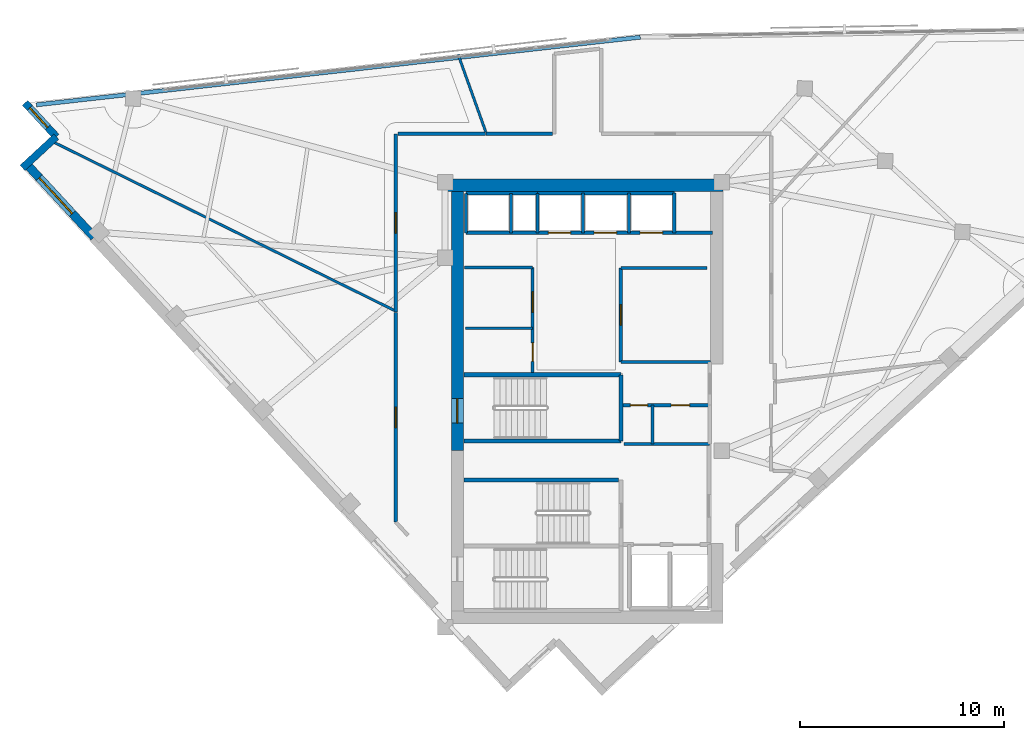
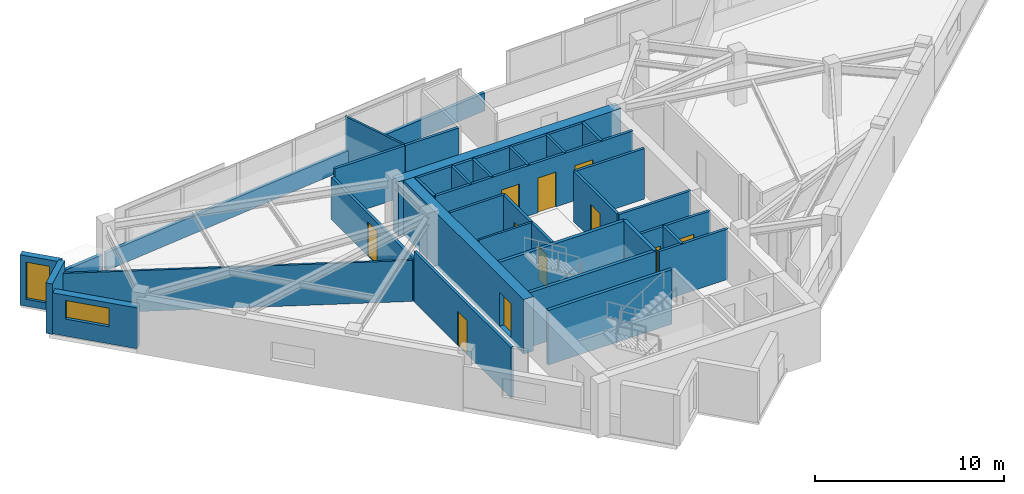
# One storey, part 8 of 12: 35 walls, 11 doors, 2 windows, 13 openings.
"""IFC4 building model written with IfcOpenShell, lengths in metres."""

from ifc_helpers import new_model, si_unit, direction, frame, frame_2d, origin, place, context, subcontext, project, spatial, rectangle, extrude, material, layer, layer_set, type_object, element, fill, save


model = new_model("IFC4")

# Units and contexts
model_context = context("Model", 3, precision=1e-05, world=origin(), true_north=direction((0.0, 1.0)))
body_context = subcontext(model_context, "Body", "Model", "MODEL_VIEW")
ifc_project = project(units=[si_unit("LENGTHUNIT", "METRE"), si_unit("AREAUNIT", "SQUARE_METRE"), si_unit("VOLUMEUNIT", "CUBIC_METRE"), si_unit("PLANEANGLEUNIT", "RADIAN"), si_unit("MASSUNIT", "GRAM", prefix="KILO")], contexts=[model_context])

# Site, building, storey
site_placement = place(None, origin())
site = spatial("IfcSite", under=ifc_project, at=site_placement, CompositionType="ELEMENT")
building_placement = place(site_placement, origin())
building = spatial("IfcBuilding", under=site, at=building_placement, Name="Narakoshi Arena Tower", CompositionType="ELEMENT")
storey_placement = place(building_placement, frame((0.0, 0.0, 267.780029296875)))
storey = spatial("IfcBuildingStorey", under=building, at=storey_placement, Name="L73", CompositionType="ELEMENT", Elevation=267.780029296875)

# Wall, opening, door
ifc_material_1 = material(Name="Concrete C50/60", Category="concrete")
ifc_layer_1 = layer(ifc_material_1, 0.60009765625)
ifc_layer_set_1 = layer_set([ifc_layer_1], Name="Concrete C50/60")
wall_type_1 = type_object("IfcWallType", Name="WL-CORE-600", PredefinedType="SHEAR", material=ifc_layer_set_1)
wall_1_placement = place(storey_placement, frame((72.60009765625, 43.35009765625, -0.260009765625), z_axis=(0.0, 0.0, 1.0), x_axis=(0.0, 1.0, 0.0)))
wall_1 = element("IfcWall", 1, at=wall_1_placement, inside=storey, type_object=wall_type_1, Name="L73 Main Core Shear Wall CW-MN-W", PredefinedType="SHEAR", context=body_context, shape_type="SweptSolid", body=[
    extrude(rectangle(XDim=12.699951171875, YDim=0.60009765625, at=frame_2d((6.35009765625, 0.0))), origin(), (0.0, 0.0, 1.0), 3.52001953125),
])
opening_1_placement = place(wall_1_placement, frame((1.35009765625, 0.0, 0.260009765625)))
opening_1 = element("IfcOpeningElement", 2, at=opening_1_placement, cuts=wall_1, Name="Opening D-03", PredefinedType="OPENING", context=body_context, shape_type="SweptSolid", body=[
    extrude(rectangle(XDim=1.199951171875, YDim=2.199951171875, at=frame_2d((0.60009765625, 1.10009765625))), frame((0.0, 0.31005859375, 0.0), z_axis=(0.0, -1.0, 0.0), x_axis=(1.0, 0.0, 0.0)), (0.0, 0.0, 1.0), 0.6201171875),
])
ifc_material_2 = material(Name="Painted galvanized steel", Category="steel")
door_type_1 = type_object("IfcDoorType", Name="DR-STR-1200", OperationType="NOTDEFINED", PredefinedType="USERDEFINED", material=ifc_material_2)
door_1_placement = place(opening_1_placement, frame((1.199951171875, 0.0, 0.0), z_axis=(0.0, 0.0, 1.0), x_axis=(-1.0, 0.0, 0.0)))
door_1 = element("IfcDoor", 3, at=door_1_placement, inside=storey, type_object=door_type_1, Name="DR-L73-006", ObjectType="EXITDOOR", OperationType="SINGLE_SWING_LEFT", OverallHeight=2.199951171875, OverallWidth=1.199951171875, PredefinedType="USERDEFINED", context=body_context, shape_type="SweptSolid", body=[
    extrude(rectangle(XDim=1.199951171875, YDim=2.199951171875, at=frame_2d((0.60009765625, 1.10009765625))), frame((0.0, 0.02490234375, 0.0), z_axis=(0.0, -1.0, 0.0), x_axis=(1.0, 0.0, 0.0)), (0.0, 0.0, 1.0), 0.050048828125),
])
fill(opening_1, door_1)

# Walls
wall_2_placement = place(storey_placement, frame((72.0, 56.35009765625, -0.260009765625), z_axis=(0.0, 0.0, 1.0), x_axis=(1.0, 0.0, 0.0)))
element("IfcWall", 4, at=wall_2_placement, inside=storey, type_object=wall_type_1, Name="L73 Main Core Shear Wall CW-MN-N", PredefinedType="SHEAR", context=body_context, shape_type="SweptSolid", body=[
    extrude(rectangle(XDim=13.60009765625, YDim=0.60009765625, at=frame_2d((6.800048828125, 0.0))), origin(), (0.0, 0.0, 1.0), 3.52001953125),
])
ifc_material_3 = material(Name="Gypsum plasterboard fire-rated partition")
ifc_layer_2 = layer(ifc_material_3, 0.1650390625)
ifc_layer_set_2 = layer_set([ifc_layer_2], Name="Gypsum plasterboard fire-rated partition")
wall_type_2 = type_object("IfcWallType", Name="WL-CORR-165", PredefinedType="PARTITIONING", material=ifc_layer_set_2)
wall_3_placement = place(storey_placement, frame((77.255615234375, 58.86669921875, 0.0), z_axis=(0.0, 0.0, 1.0), x_axis=(-1.0, 0.0, 0.0)))
element("IfcWall", 5, at=wall_3_placement, inside=storey, type_object=wall_type_2, Name="L73 Corridor Partition 03-5", PredefinedType="PARTITIONING", context=body_context, shape_type="SweptSolid", body=[
    extrude(rectangle(XDim=3.265869140625, YDim=0.1650390625, at=frame_2d((1.6328125, 0.0))), origin(), (0.0, 0.0, 1.0), 3.260009765625),
])

# Wall, opening, door
wall_4_placement = place(storey_placement, frame((69.583251953125, 58.86669921875, 0.0), z_axis=(0.0, 0.0, 1.0), x_axis=(0.0, -1.0, 0.0)))
wall_4 = element("IfcWall", 6, at=wall_4_placement, inside=storey, type_object=wall_type_2, Name="L73 Corridor Partition 04-1", PredefinedType="PARTITIONING", context=body_context, shape_type="SweptSolid", body=[
    extrude(rectangle(XDim=8.719482421875, YDim=0.1650390625, at=frame_2d((4.35986328125, 0.0))), origin(), (0.0, 0.0, 1.0), 2.744873046875),
])
opening_2_placement = place(wall_4_placement, frame((3.85986328125, 0.0, 0.0)))
opening_2 = element("IfcOpeningElement", 7, at=opening_2_placement, cuts=wall_4, Name="Opening D-06", PredefinedType="OPENING", context=body_context, shape_type="SweptSolid", body=[
    extrude(rectangle(XDim=1.0, YDim=2.199951171875, at=frame_2d((0.5, 1.10009765625))), frame((0.0, 0.092529296875, 0.0), z_axis=(0.0, -1.0, 0.0), x_axis=(1.0, 0.0, 0.0)), (0.0, 0.0, 1.0), 0.18505859375),
])
ifc_material_4 = material(Name="Stained oak solid-core timber", Category="wood")
door_type_2 = type_object("IfcDoorType", Name="DR-OFF-1000", OperationType="NOTDEFINED", PredefinedType="DOOR", material=ifc_material_4)
door_2_placement = place(opening_2_placement, frame((1.0, 0.0, 0.0), z_axis=(0.0, 0.0, 1.0), x_axis=(-1.0, 0.0, 0.0)))
door_2 = element("IfcDoor", 8, at=door_2_placement, inside=storey, type_object=door_type_2, Name="DR-L73-019", OperationType="SINGLE_SWING_RIGHT", OverallHeight=2.199951171875, OverallWidth=1.0, PredefinedType="DOOR", context=body_context, shape_type="SweptSolid", body=[
    extrude(rectangle(XDim=1.0, YDim=2.199951171875, at=frame_2d((0.5, 1.10009765625))), frame((0.0, 0.02490234375, 0.0), z_axis=(0.0, -1.0, 0.0), x_axis=(1.0, 0.0, 0.0)), (0.0, 0.0, 1.0), 0.050048828125),
])
fill(opening_2, door_2)

# Wall
wall_5_placement = place(storey_placement, frame((73.964111328125, 58.86669921875, 0.0), z_axis=(0.0, 0.0, 1.0), x_axis=(-1.0, 0.0, 0.0)))
element("IfcWall", 9, at=wall_5_placement, inside=storey, type_object=wall_type_2, Name="L73 Corridor Partition 04-2", PredefinedType="PARTITIONING", context=body_context, shape_type="SweptSolid", body=[
    extrude(rectangle(XDim=4.286376953125, YDim=0.1650390625, at=frame_2d((2.14306640625, 0.0))), origin(), (0.0, 0.0, 1.0), 3.260009765625),
])

# Wall, opening, door
wall_6_placement = place(storey_placement, frame((69.583251953125, 50.120361328125, 0.0), z_axis=(0.0, 0.0, 1.0), x_axis=(0.0, -1.0, 0.0)))
wall_6 = element("IfcWall", 10, at=wall_6_placement, inside=storey, type_object=wall_type_2, Name="L73 Corridor Partition 05-1", PredefinedType="PARTITIONING", context=body_context, shape_type="SweptSolid", body=[
    extrude(rectangle(XDim=10.269775390625, YDim=0.1650390625, at=frame_2d((5.134765625, 0.0))), origin(), (0.0, 0.0, 1.0), 3.260009765625),
])
opening_3_placement = place(wall_6_placement, frame((4.635009765625, 0.0, 0.0)))
opening_3 = element("IfcOpeningElement", 11, at=opening_3_placement, cuts=wall_6, Name="Opening D-06", PredefinedType="OPENING", context=body_context, shape_type="SweptSolid", body=[
    extrude(rectangle(XDim=1.0, YDim=2.199951171875, at=frame_2d((0.5, 1.10009765625))), frame((0.0, 0.092529296875, 0.0), z_axis=(0.0, -1.0, 0.0), x_axis=(1.0, 0.0, 0.0)), (0.0, 0.0, 1.0), 0.18505859375),
])
door_3_placement = place(opening_3_placement, frame((1.0, 0.0, 0.0), z_axis=(0.0, 0.0, 1.0), x_axis=(-1.0, 0.0, 0.0)))
door_3 = element("IfcDoor", 12, at=door_3_placement, inside=storey, type_object=door_type_2, Name="DR-L73-020", OperationType="SINGLE_SWING_LEFT", OverallHeight=2.199951171875, OverallWidth=1.0, PredefinedType="DOOR", context=body_context, shape_type="SweptSolid", body=[
    extrude(rectangle(XDim=1.0, YDim=2.199951171875, at=frame_2d((0.5, 1.10009765625))), frame((0.0, 0.02490234375, 0.0), z_axis=(0.0, -1.0, 0.0), x_axis=(1.0, 0.0, 0.0)), (0.0, 0.0, 1.0), 0.050048828125),
])
fill(opening_3, door_3)

# Walls
ifc_material_5 = material(Name="Precast concrete C45/55", Category="concrete")
ifc_layer_3 = layer(ifc_material_5, 0.25)
ifc_layer_set_3 = layer_set([ifc_layer_3], Name="Precast concrete C45/55")
wall_type_3 = type_object("IfcWallType", Name="WL-PARA-250", PredefinedType="PARAPET", material=ifc_layer_set_3)
wall_7_placement = place(storey_placement, frame((81.556640625, 63.603759765625, 0.0), z_axis=(0.0, 0.0, 1.0), x_axis=(-0.993776455024, -0.111392806945, 0.0)))
element("IfcWall", 13, at=wall_7_placement, inside=storey, type_object=wall_type_3, Name="L73 Hypotenuse Sill Upstand Parapet 2-01", PredefinedType="PARAPET", context=body_context, shape_type="SweptSolid", body=[
    extrude(rectangle(XDim=24.891357421875, YDim=0.199951171875, at=frame_2d((12.44580078125, 0.0))), origin(), (0.0, 0.0, 1.0), 1.14990234375),
])
wall_8_placement = place(storey_placement, frame((56.565185546875, 60.802490234375, 0.0), z_axis=(0.0, 0.0, 1.0), x_axis=(-0.99377164586, -0.111435702918, 0.0)))
element("IfcWall", 14, at=wall_8_placement, inside=storey, type_object=wall_type_3, Name="L73 Hypotenuse Sill Upstand Parapet 2-02", PredefinedType="PARAPET", context=body_context, shape_type="SweptSolid", body=[
    extrude(rectangle(XDim=4.6162109375, YDim=0.199951171875, at=frame_2d((2.30810546875, 0.0))), origin(), (0.0, 0.0, 1.0), 1.14990234375),
])
ifc_layer_4 = layer(ifc_material_3, 0.125)
ifc_layer_set_4 = layer_set([ifc_layer_4], Name="Gypsum plasterboard fire-rated partition")
wall_type_4 = type_object("IfcWallType", Name="WL-PART-125", PredefinedType="PARTITIONING", material=ifc_layer_set_4)
wall_9_placement = place(storey_placement, frame((73.0, 49.35009765625, 0.0), z_axis=(0.0, 0.0, 1.0), x_axis=(1.0, 0.0, 0.0)))
element("IfcWall", 15, at=wall_9_placement, inside=storey, type_object=wall_type_4, Name="L73 Core Wall RCL-LR-D1", PredefinedType="PARTITIONING", context=body_context, shape_type="SweptSolid", body=[
    extrude(rectangle(XDim=3.280029296875, YDim=0.125, at=frame_2d((1.64013671875, 0.0))), origin(), (0.0, 0.0, 1.0), 3.260009765625),
])
wall_10_placement = place(storey_placement, frame((73.990234375, 58.961181640625, 0.0), z_axis=(0.0, 0.0, 1.0), x_axis=(-0.336520199653, 0.941676247564, 0.0)))
element("IfcWall", 16, at=wall_10_placement, inside=storey, type_object=wall_type_4, Name="L73 Inter-Room Partition 03-04", PredefinedType="PARTITIONING", context=body_context, shape_type="SweptSolid", body=[
    extrude(rectangle(XDim=4.038818359375, YDim=0.125, at=frame_2d((2.01953125, 0.0))), origin(), (0.0, 0.0, 1.0), 3.260009765625),
])
wall_11_placement = place(storey_placement, frame((69.48876953125, 50.23388671875, 0.0), z_axis=(0.0, 0.0, 1.0), x_axis=(-0.896640561753, 0.442759193038, 0.0)))
element("IfcWall", 17, at=wall_11_placement, inside=storey, type_object=wall_type_4, Name="L73 Inter-Room Partition 04-05", PredefinedType="PARTITIONING", context=body_context, shape_type="SweptSolid", body=[
    extrude(rectangle(XDim=18.7021484375, YDim=0.125, at=frame_2d((9.35107421875, 0.0))), origin(), (0.0, 0.0, 1.0), 2.64501953125),
])

# Wall, opening, window
ifc_layer_5 = layer(ifc_material_5, 0.419921875)
ifc_layer_set_5 = layer_set([ifc_layer_5], Name="Precast concrete C45/55")
wall_type_5 = type_object("IfcWallType", Name="WL-POD-420", PredefinedType="SOLIDWALL", material=ifc_layer_set_5)
wall_12_placement = place(storey_placement, frame((51.5, 57.38720703125, 0.0), z_axis=(0.0, 0.0, 1.0), x_axis=(0.67880684669, -0.734316869537, 0.0)))
wall_12 = element("IfcWall", 18, at=wall_12_placement, inside=storey, type_object=wall_type_5, Name="L73 Architectural Concrete Facade Wall LEGB-1", PredefinedType="SOLIDWALL", context=body_context, shape_type="SweptSolid", body=[
    extrude(rectangle(XDim=4.86865234375, YDim=0.419921875, at=frame_2d((2.434326171875, 0.0))), origin(), (0.0, 0.0, 1.0), 2.64501953125),
])
opening_4_placement = place(wall_12_placement, frame((0.89990234375, 0.0, 1.10009765625)))
opening_4 = element("IfcOpeningElement", 19, at=opening_4_placement, cuts=wall_12, Name="Opening WN-04", PredefinedType="OPENING", context=body_context, shape_type="SweptSolid", body=[
    extrude(rectangle(XDim=2.39990234375, YDim=1.199951171875, at=frame_2d((1.199951171875, 0.60009765625))), frame((0.0, 0.219970703125, 0.0), z_axis=(0.0, -1.0, 0.0), x_axis=(1.0, 0.0, 0.0)), (0.0, 0.0, 1.0), 0.43994140625),
])
ifc_material_6 = material(Name="Bronze-tinted low-E laminated glass", Category="glass")
window_type_1 = type_object("IfcWindowType", Name="WIN-SLT-24x12", PartitioningType="SINGLE_PANEL", PredefinedType="WINDOW", material=ifc_material_6)
window_1_placement = place(opening_4_placement, origin())
window_1 = element("IfcWindow", 20, at=window_1_placement, inside=storey, type_object=window_type_1, Name="L73 LEGB1 Horizontal Slot Window 1", OverallHeight=1.199951171875, OverallWidth=2.39990234375, PartitioningType="SINGLE_PANEL", PredefinedType="WINDOW", context=body_context, shape_type="SweptSolid", body=[
    extrude(rectangle(XDim=2.39990234375, YDim=1.199951171875, at=frame_2d((1.199951171875, 0.60009765625))), frame((0.0, 0.030029296875, 0.0), z_axis=(0.0, -1.0, 0.0), x_axis=(1.0, 0.0, 0.0)), (0.0, 0.0, 1.0), 0.06005859375),
])
fill(opening_4, window_1)

wall_13_placement = place(storey_placement, frame((51.42333984375, 60.38720703125, 0.0), z_axis=(0.0, 0.0, 1.0), x_axis=(0.678792531533, -0.734330102294, 0.0)))
wall_13 = element("IfcWall", 21, at=wall_13_placement, inside=storey, type_object=wall_type_5, Name="L73 Re-Entrant Corner Notch Wall NTN-1", PredefinedType="SOLIDWALL", context=body_context, shape_type="SweptSolid", body=[
    extrude(rectangle(XDim=2.255126953125, YDim=0.360107421875, at=frame_2d((1.12744140625, 0.0))), origin(), (0.0, 0.0, 1.0), 3.260009765625),
])
opening_5_placement = place(wall_13_placement, frame((0.340087890625, 0.0, 0.449951171875)))
opening_5 = element("IfcOpeningElement", 22, at=opening_5_placement, cuts=wall_13, Name="Opening WN-06", PredefinedType="OPENING", context=body_context, shape_type="SweptSolid", body=[
    extrude(rectangle(XDim=1.300048828125, YDim=2.39990234375, at=frame_2d((0.64990234375, 1.199951171875))), frame((0.0, 0.18994140625, 0.0), z_axis=(0.0, -1.0, 0.0), x_axis=(1.0, 0.0, 0.0)), (0.0, 0.0, 1.0), 0.380126953125),
])
window_type_2 = type_object("IfcWindowType", Name="WIN-NTC-16x24", PartitioningType="SINGLE_PANEL", PredefinedType="WINDOW", material=ifc_material_6)
window_2_placement = place(opening_5_placement, origin())
window_2 = element("IfcWindow", 23, at=window_2_placement, inside=storey, type_object=window_type_2, Name="L73 Corner Notch Window NTN", OverallHeight=2.39990234375, OverallWidth=1.300048828125, PartitioningType="SINGLE_PANEL", PredefinedType="WINDOW", context=body_context, shape_type="SweptSolid", body=[
    extrude(rectangle(XDim=1.300048828125, YDim=2.39990234375, at=frame_2d((0.64990234375, 1.199951171875))), frame((0.0, 0.030029296875, 0.0), z_axis=(0.0, -1.0, 0.0), x_axis=(1.0, 0.0, 0.0)), (0.0, 0.0, 1.0), 0.06005859375),
])
fill(opening_5, window_2)

# Wall
wall_14_placement = place(storey_placement, frame((52.9541015625, 58.731201171875, 0.0), z_axis=(0.0, 0.0, 1.0), x_axis=(-0.734330102294, -0.678792531533, 0.0)))
element("IfcWall", 24, at=wall_14_placement, inside=storey, type_object=wall_type_5, Name="L73 Re-Entrant Corner Notch Wall NTN-2", PredefinedType="SOLIDWALL", context=body_context, shape_type="SweptSolid", body=[
    extrude(rectangle(XDim=2.255126953125, YDim=0.360107421875, at=frame_2d((1.12744140625, 0.0))), origin(), (0.0, 0.0, 1.0), 3.260009765625),
])

# Wall, openings, doors
ifc_material_7 = material(Name="Concrete C40/50", Category="concrete")
ifc_layer_6 = layer(ifc_material_7, 0.280029296875)
ifc_layer_set_6 = layer_set([ifc_layer_6], Name="Concrete C40/50")
wall_type_6 = type_object("IfcWallType", Name="WL-RISER-280", PredefinedType="PLUMBINGWALL", material=ifc_layer_set_6)
wall_15_placement = place(storey_placement, frame((80.719970703125, 45.580078125, 0.0), z_axis=(0.0, 0.0, 1.0), x_axis=(1.0, 0.0, 0.0)))
wall_15 = element("IfcWall", 25, at=wall_15_placement, inside=storey, type_object=wall_type_6, Name="L73 Core Wall RSR-N", PredefinedType="PLUMBINGWALL", context=body_context, shape_type="SweptSolid", body=[
    extrude(rectangle(XDim=4.22998046875, YDim=0.159912109375, at=frame_2d((2.114990234375, 0.0))), origin(), (0.0, 0.0, 1.0), 3.260009765625),
])
opening_6_placement = place(wall_15_placement, frame((0.35009765625, 0.0, 0.0)))
opening_6 = element("IfcOpeningElement", 26, at=opening_6_placement, cuts=wall_15, Name="Opening D-10", PredefinedType="OPENING", context=body_context, shape_type="SweptSolid", body=[
    extrude(rectangle(XDim=0.85009765625, YDim=2.050048828125, at=frame_2d((0.425048828125, 1.02490234375))), frame((0.0, 0.08984375, 0.0), z_axis=(0.0, -1.0, 0.0), x_axis=(1.0, 0.0, 0.0)), (0.0, 0.0, 1.0), 0.179931640625),
])
opening_7_placement = place(wall_15_placement, frame((2.35009765625, 0.0, 0.0)))
opening_7 = element("IfcOpeningElement", 27, at=opening_7_placement, cuts=wall_15, Name="Opening D-08", PredefinedType="OPENING", context=body_context, shape_type="SweptSolid", body=[
    extrude(rectangle(XDim=0.89990234375, YDim=2.10009765625, at=frame_2d((0.449951171875, 1.050048828125))), frame((0.0, 0.08984375, 0.0), z_axis=(0.0, -1.0, 0.0), x_axis=(1.0, 0.0, 0.0)), (0.0, 0.0, 1.0), 0.179931640625),
])
door_type_3 = type_object("IfcDoorType", Name="DR-RSR-850", OperationType="NOTDEFINED", PredefinedType="DOOR", material=ifc_material_2)
door_4_placement = place(opening_6_placement, frame((0.85009765625, 0.0, 0.0), z_axis=(0.0, 0.0, 1.0), x_axis=(-1.0, 0.0, 0.0)))
door_4 = element("IfcDoor", 28, at=door_4_placement, inside=storey, type_object=door_type_3, Name="DR-L73-008", OperationType="SINGLE_SWING_LEFT", OverallHeight=2.050048828125, OverallWidth=0.85009765625, PredefinedType="DOOR", context=body_context, shape_type="SweptSolid", body=[
    extrude(rectangle(XDim=0.85009765625, YDim=2.050048828125, at=frame_2d((0.425048828125, 1.02490234375))), frame((0.0, 0.02490234375, 0.0), z_axis=(0.0, -1.0, 0.0), x_axis=(1.0, 0.0, 0.0)), (0.0, 0.0, 1.0), 0.050048828125),
])
fill(opening_6, door_4)
ifc_material_8 = material(Name="Moisture-resistant laminate timber", Category="wood")
door_type_4 = type_object("IfcDoorType", Name="DR-WC-900", OperationType="NOTDEFINED", PredefinedType="DOOR", material=ifc_material_8)
door_5_placement = place(opening_7_placement, frame((0.89990234375, 0.0, 0.0), z_axis=(0.0, 0.0, 1.0), x_axis=(-1.0, 0.0, 0.0)))
door_5 = element("IfcDoor", 29, at=door_5_placement, inside=storey, type_object=door_type_4, Name="DR-L73-009", OperationType="SINGLE_SWING_RIGHT", OverallHeight=2.10009765625, OverallWidth=0.89990234375, PredefinedType="DOOR", context=body_context, shape_type="SweptSolid", body=[
    extrude(rectangle(XDim=0.89990234375, YDim=2.10009765625, at=frame_2d((0.449951171875, 1.050048828125))), frame((0.0, 0.02490234375, 0.0), z_axis=(0.0, -1.0, 0.0), x_axis=(1.0, 0.0, 0.0)), (0.0, 0.0, 1.0), 0.050048828125),
])
fill(opening_7, door_5)

# Walls
wall_16_placement = place(storey_placement, frame((80.760009765625, 43.679931640625, 0.0), z_axis=(0.0, 0.0, 1.0), x_axis=(1.0, 0.0, 0.0)))
element("IfcWall", 30, at=wall_16_placement, inside=storey, type_object=wall_type_6, Name="L73 Core Wall RSR-S", PredefinedType="PLUMBINGWALL", context=body_context, shape_type="SweptSolid", body=[
    extrude(rectangle(XDim=4.18994140625, YDim=0.159912109375, at=frame_2d((2.094970703125, 0.0))), origin(), (0.0, 0.0, 1.0), 3.260009765625),
])
wall_17_placement = place(storey_placement, frame((82.14990234375, 43.679931640625, 0.0), z_axis=(0.0, 0.0, 1.0), x_axis=(0.0, 1.0, 0.0)))
element("IfcWall", 31, at=wall_17_placement, inside=storey, type_object=wall_type_6, Name="L73 Core Wall RSR-M", PredefinedType="PLUMBINGWALL", context=body_context, shape_type="SweptSolid", body=[
    extrude(rectangle(XDim=1.900146484375, YDim=0.159912109375, at=frame_2d((0.9501953125, 0.0))), origin(), (0.0, 0.0, 1.0), 3.260009765625),
])
for number, where, z_axis, x_axis, name in (
    (32, (73.02001953125, 54.02001953125, 0.0), (0.0, 0.0, 1.0), (0.0, 1.0, 0.0), "L73 Core Wall OBS-W"),
    (33, (75.219970703125, 54.02001953125, 0.0), (0.0, 0.0, 1.0), (0.0, 1.0, 0.0), "L73 Core Wall OBS-M"),
):
    element("IfcWall", number, at=place(storey_placement, frame(where, z_axis=z_axis, x_axis=x_axis)), inside=storey, type_object=wall_type_6, Name=name, PredefinedType="PLUMBINGWALL", context=body_context, shape_type="SweptSolid", body=[
        extrude(rectangle(XDim=1.93994140625, YDim=0.14990234375, at=frame_2d((0.969970703125, 0.0))), origin(), (0.0, 0.0, 1.0), 3.260009765625),
    ])
for number, where, z_axis, x_axis, name in (
    (34, (78.75, 54.02001953125, 0.0), (0.0, 0.0, 1.0), (0.0, 1.0, 0.0), "L73 Core Wall HR-D1"),
    (35, (81.0, 54.02001953125, 0.0), (0.0, 0.0, 1.0), (0.0, 1.0, 0.0), "L73 Core Wall HR-D2"),
):
    element("IfcWall", number, at=place(storey_placement, frame(where, z_axis=z_axis, x_axis=x_axis)), inside=storey, type_object=wall_type_6, Name=name, PredefinedType="PLUMBINGWALL", context=body_context, shape_type="SweptSolid", body=[
        extrude(rectangle(XDim=1.9599609375, YDim=0.14990234375, at=frame_2d((0.97998046875, 0.0))), origin(), (0.0, 0.0, 1.0), 3.260009765625),
    ])
ifc_layer_7 = layer(ifc_material_1, 0.35009765625)
ifc_layer_set_7 = layer_set([ifc_layer_7], Name="Concrete C50/60")
wall_type_7 = type_object("IfcWallType", Name="WL-SHAFT-350", PredefinedType="SOLIDWALL", material=ifc_layer_set_7)
wall_18_placement = place(storey_placement, frame((72.919921875, 41.919921875, -0.260009765625), z_axis=(0.0, 0.0, 1.0), x_axis=(1.0, 0.0, 0.0)))
element("IfcWall", 36, at=wall_18_placement, inside=storey, type_object=wall_type_7, Name="L73 Core Wall ST2-N", PredefinedType="SOLIDWALL", context=body_context, shape_type="SweptSolid", body=[
    extrude(rectangle(XDim=7.580078125, YDim=0.199951171875, at=frame_2d((3.7900390625, 0.0))), origin(), (0.0, 0.0, 1.0), 3.52001953125),
])
for number, where, z_axis, x_axis, name in (
    (37, (72.919921875, 43.830078125, -0.260009765625), (0.0, 0.0, 1.0), (1.0, 0.0, 0.0), "L73 Core Wall ST3-S"),
    (38, (72.919921875, 47.070068359375, -0.260009765625), (0.0, 0.0, 1.0), (1.0, 0.0, 0.0), "L73 Core Wall ST3-N"),
):
    element("IfcWall", number, at=place(storey_placement, frame(where, z_axis=z_axis, x_axis=x_axis)), inside=storey, type_object=wall_type_7, Name=name, PredefinedType="SOLIDWALL", context=body_context, shape_type="SweptSolid", body=[
        extrude(rectangle(XDim=7.7001953125, YDim=0.199951171875, at=frame_2d((3.85009765625, 0.0))), origin(), (0.0, 0.0, 1.0), 3.52001953125),
    ])
wall_19_placement = place(storey_placement, frame((80.6201171875, 43.830078125, -0.260009765625), z_axis=(0.0, 0.0, 1.0), x_axis=(0.0, 1.0, 0.0)))
element("IfcWall", 39, at=wall_19_placement, inside=storey, type_object=wall_type_7, Name="L73 Core Wall ST3-E", PredefinedType="SOLIDWALL", context=body_context, shape_type="SweptSolid", body=[
    extrude(rectangle(XDim=3.239990234375, YDim=0.199951171875, at=frame_2d((1.6201171875, 0.0))), origin(), (0.0, 0.0, 1.0), 3.52001953125),
])

# Wall, openings, doors
wall_20_placement = place(storey_placement, frame((76.280029296875, 47.179931640625, 0.0), z_axis=(0.0, 0.0, 1.0), x_axis=(0.0, 1.0, 0.0)))
wall_20 = element("IfcWall", 40, at=wall_20_placement, inside=storey, type_object=wall_type_7, Name="L73 Core Wall LR-E", PredefinedType="SOLIDWALL", context=body_context, shape_type="SweptSolid", body=[
    extrude(rectangle(XDim=5.14013671875, YDim=0.159912109375, at=frame_2d((2.570068359375, 0.0))), origin(), (0.0, 0.0, 1.0), 3.260009765625),
])
opening_8_placement = place(wall_20_placement, frame((0.550048828125, 0.0, 0.0)))
opening_8 = element("IfcOpeningElement", 41, at=opening_8_placement, cuts=wall_20, Name="Opening D-08", PredefinedType="OPENING", context=body_context, shape_type="SweptSolid", body=[
    extrude(rectangle(XDim=0.89990234375, YDim=2.10009765625, at=frame_2d((0.449951171875, 1.050048828125))), frame((0.0, 0.08984375, 0.0), z_axis=(0.0, -1.0, 0.0), x_axis=(1.0, 0.0, 0.0)), (0.0, 0.0, 1.0), 0.179931640625),
])
opening_9_placement = place(wall_20_placement, frame((2.949951171875, 0.0, 0.0)))
opening_9 = element("IfcOpeningElement", 42, at=opening_9_placement, cuts=wall_20, Name="Opening D-06", PredefinedType="OPENING", context=body_context, shape_type="SweptSolid", body=[
    extrude(rectangle(XDim=1.0, YDim=2.199951171875, at=frame_2d((0.5, 1.10009765625))), frame((0.0, 0.08984375, 0.0), z_axis=(0.0, -1.0, 0.0), x_axis=(1.0, 0.0, 0.0)), (0.0, 0.0, 1.0), 0.179931640625),
])
door_6_placement = place(opening_9_placement, frame((1.0, 0.0, 0.0), z_axis=(0.0, 0.0, 1.0), x_axis=(-1.0, 0.0, 0.0)))
door_6 = element("IfcDoor", 43, at=door_6_placement, inside=storey, type_object=door_type_2, Name="DR-L73-011", OperationType="SINGLE_SWING_LEFT", OverallHeight=2.199951171875, OverallWidth=1.0, PredefinedType="DOOR", context=body_context, shape_type="SweptSolid", body=[
    extrude(rectangle(XDim=1.0, YDim=2.199951171875, at=frame_2d((0.5, 1.10009765625))), frame((0.0, 0.02490234375, 0.0), z_axis=(0.0, -1.0, 0.0), x_axis=(1.0, 0.0, 0.0)), (0.0, 0.0, 1.0), 0.050048828125),
])
fill(opening_9, door_6)
door_7_placement = place(opening_8_placement, frame((0.89990234375, 0.0, 0.0), z_axis=(0.0, 0.0, 1.0), x_axis=(-1.0, 0.0, 0.0)))
door_7 = element("IfcDoor", 44, at=door_7_placement, inside=storey, type_object=door_type_4, Name="DR-L73-010", OperationType="SINGLE_SWING_RIGHT", OverallHeight=2.10009765625, OverallWidth=0.89990234375, PredefinedType="DOOR", context=body_context, shape_type="SweptSolid", body=[
    extrude(rectangle(XDim=0.89990234375, YDim=2.10009765625, at=frame_2d((0.449951171875, 1.050048828125))), frame((0.0, 0.02490234375, 0.0), z_axis=(0.0, -1.0, 0.0), x_axis=(1.0, 0.0, 0.0)), (0.0, 0.0, 1.0), 0.050048828125),
])
fill(opening_8, door_7)

# Wall
wall_21_placement = place(storey_placement, frame((72.949951171875, 52.320068359375, 0.0), z_axis=(0.0, 0.0, 1.0), x_axis=(1.0, 0.0, 0.0)))
element("IfcWall", 45, at=wall_21_placement, inside=storey, type_object=wall_type_7, Name="L73 Core Wall LR-N", PredefinedType="SOLIDWALL", context=body_context, shape_type="SweptSolid", body=[
    extrude(rectangle(XDim=3.330078125, YDim=0.14990234375, at=frame_2d((1.6650390625, 0.0))), origin(), (0.0, 0.0, 1.0), 3.260009765625),
])

# Wall, opening, door
wall_22_placement = place(storey_placement, frame((80.60009765625, 47.699951171875, 0.0), z_axis=(0.0, 0.0, 1.0), x_axis=(0.0, 1.0, 0.0)))
wall_22 = element("IfcWall", 46, at=wall_22_placement, inside=storey, type_object=wall_type_7, Name="L73 Core Wall MR-W", PredefinedType="SOLIDWALL", context=body_context, shape_type="SweptSolid", body=[
    extrude(rectangle(XDim=4.60009765625, YDim=0.159912109375, at=frame_2d((2.300048828125, 0.0))), origin(), (0.0, 0.0, 1.0), 3.260009765625),
])
opening_10_placement = place(wall_22_placement, frame((1.800048828125, 0.0, 0.0)))
opening_10 = element("IfcOpeningElement", 47, at=opening_10_placement, cuts=wall_22, Name="Opening D-06", PredefinedType="OPENING", context=body_context, shape_type="SweptSolid", body=[
    extrude(rectangle(XDim=1.0, YDim=2.199951171875, at=frame_2d((0.5, 1.10009765625))), frame((0.0, 0.08984375, 0.0), z_axis=(0.0, -1.0, 0.0), x_axis=(1.0, 0.0, 0.0)), (0.0, 0.0, 1.0), 0.179931640625),
])
door_8_placement = place(opening_10_placement, origin())
door_8 = element("IfcDoor", 48, at=door_8_placement, inside=storey, type_object=door_type_2, Name="DR-L73-012", OperationType="SINGLE_SWING_LEFT", OverallHeight=2.199951171875, OverallWidth=1.0, PredefinedType="DOOR", context=body_context, shape_type="SweptSolid", body=[
    extrude(rectangle(XDim=1.0, YDim=2.199951171875, at=frame_2d((0.5, 1.10009765625))), frame((0.0, 0.02490234375, 0.0), z_axis=(0.0, -1.0, 0.0), x_axis=(1.0, 0.0, 0.0)), (0.0, 0.0, 1.0), 0.050048828125),
])
fill(opening_10, door_8)

# Walls
wall_23_placement = place(storey_placement, frame((80.60009765625, 47.699951171875, 0.0), z_axis=(0.0, 0.0, 1.0), x_axis=(1.0, 0.0, 0.0)))
element("IfcWall", 49, at=wall_23_placement, inside=storey, type_object=wall_type_7, Name="L73 Core Wall MR-S", PredefinedType="SOLIDWALL", context=body_context, shape_type="SweptSolid", body=[
    extrude(rectangle(XDim=4.39990234375, YDim=0.159912109375, at=frame_2d((2.199951171875, 0.0))), origin(), (0.0, 0.0, 1.0), 3.260009765625),
])
wall_24_placement = place(storey_placement, frame((80.60009765625, 52.300048828125, 0.0), z_axis=(0.0, 0.0, 1.0), x_axis=(1.0, 0.0, 0.0)))
element("IfcWall", 50, at=wall_24_placement, inside=storey, type_object=wall_type_7, Name="L73 Core Wall MR-N", PredefinedType="SOLIDWALL", context=body_context, shape_type="SweptSolid", body=[
    extrude(rectangle(XDim=4.219970703125, YDim=0.159912109375, at=frame_2d((2.10986328125, 0.0))), origin(), (0.0, 0.0, 1.0), 3.260009765625),
])

# Wall, openings, doors
wall_25_placement = place(storey_placement, frame((73.02001953125, 54.02001953125, 0.0), z_axis=(0.0, 0.0, 1.0), x_axis=(1.0, 0.0, 0.0)))
wall_25 = element("IfcWall", 51, at=wall_25_placement, inside=storey, type_object=wall_type_7, Name="L73 Core Wall NSHF-S", PredefinedType="SOLIDWALL", context=body_context, shape_type="SweptSolid", body=[
    extrude(rectangle(XDim=12.080078125, YDim=0.159912109375, at=frame_2d((6.0400390625, 0.0))), origin(), (0.0, 0.0, 1.0), 3.260009765625),
])
opening_11_placement = place(wall_25_placement, frame((4.030029296875, 0.0, 0.0)))
opening_11 = element("IfcOpeningElement", 52, at=opening_11_placement, cuts=wall_25, Name="Opening LD-01", PredefinedType="OPENING", context=body_context, shape_type="SweptSolid", body=[
    extrude(rectangle(XDim=1.10009765625, YDim=2.25, at=frame_2d((0.550048828125, 1.125))), frame((0.0, 0.08984375, 0.0), z_axis=(0.0, -1.0, 0.0), x_axis=(1.0, 0.0, 0.0)), (0.0, 0.0, 1.0), 0.179931640625),
])
opening_12_placement = place(wall_25_placement, frame((6.280029296875, 0.0, 0.0)))
opening_12 = element("IfcOpeningElement", 53, at=opening_12_placement, cuts=wall_25, Name="Opening LD-01", PredefinedType="OPENING", context=body_context, shape_type="SweptSolid", body=[
    extrude(rectangle(XDim=1.10009765625, YDim=2.25, at=frame_2d((0.550048828125, 1.125))), frame((0.0, 0.08984375, 0.0), z_axis=(0.0, -1.0, 0.0), x_axis=(1.0, 0.0, 0.0)), (0.0, 0.0, 1.0), 0.179931640625),
])
opening_13_placement = place(wall_25_placement, frame((8.530029296875, 0.0, 0.0)))
opening_13 = element("IfcOpeningElement", 54, at=opening_13_placement, cuts=wall_25, Name="Opening LD-01", PredefinedType="OPENING", context=body_context, shape_type="SweptSolid", body=[
    extrude(rectangle(XDim=1.10009765625, YDim=2.25, at=frame_2d((0.550048828125, 1.125))), frame((0.0, 0.08984375, 0.0), z_axis=(0.0, -1.0, 0.0), x_axis=(1.0, 0.0, 0.0)), (0.0, 0.0, 1.0), 0.179931640625),
])
ifc_material_9 = material(Name="Brushed bronze stainless steel", Category="steel")
door_type_5 = type_object("IfcDoorType", Name="DR-LFT-1100", OperationType="DOUBLE_DOOR_SLIDING", PredefinedType="DOOR", material=ifc_material_9)
door_9_placement = place(opening_11_placement, origin())
door_9 = element("IfcDoor", 55, at=door_9_placement, inside=storey, type_object=door_type_5, Name="DR-L73-013", OperationType="DOUBLE_DOOR_SLIDING", OverallHeight=2.25, OverallWidth=1.10009765625, PredefinedType="DOOR", context=body_context, shape_type="SweptSolid", body=[
    extrude(rectangle(XDim=1.10009765625, YDim=2.25, at=frame_2d((0.550048828125, 1.125))), frame((0.0, 0.02490234375, 0.0), z_axis=(0.0, -1.0, 0.0), x_axis=(1.0, 0.0, 0.0)), (0.0, 0.0, 1.0), 0.050048828125),
])
fill(opening_11, door_9)
door_10_placement = place(opening_12_placement, origin())
door_10 = element("IfcDoor", 56, at=door_10_placement, inside=storey, type_object=door_type_5, Name="DR-L73-014", OperationType="DOUBLE_DOOR_SLIDING", OverallHeight=2.25, OverallWidth=1.10009765625, PredefinedType="DOOR", context=body_context, shape_type="SweptSolid", body=[
    extrude(rectangle(XDim=1.10009765625, YDim=2.25, at=frame_2d((0.550048828125, 1.125))), frame((0.0, 0.02490234375, 0.0), z_axis=(0.0, -1.0, 0.0), x_axis=(1.0, 0.0, 0.0)), (0.0, 0.0, 1.0), 0.050048828125),
])
fill(opening_12, door_10)
door_11_placement = place(opening_13_placement, origin())
door_11 = element("IfcDoor", 57, at=door_11_placement, inside=storey, type_object=door_type_5, Name="DR-L73-015", OperationType="DOUBLE_DOOR_SLIDING", OverallHeight=2.25, OverallWidth=1.10009765625, PredefinedType="DOOR", context=body_context, shape_type="SweptSolid", body=[
    extrude(rectangle(XDim=1.10009765625, YDim=2.25, at=frame_2d((0.550048828125, 1.125))), frame((0.0, 0.02490234375, 0.0), z_axis=(0.0, -1.0, 0.0), x_axis=(1.0, 0.0, 0.0)), (0.0, 0.0, 1.0), 0.050048828125),
])
fill(opening_13, door_11)

# Walls
wall_26_placement = place(storey_placement, frame((73.02001953125, 55.9599609375, 0.0), z_axis=(0.0, 0.0, 1.0), x_axis=(1.0, 0.0, 0.0)))
element("IfcWall", 58, at=wall_26_placement, inside=storey, type_object=wall_type_7, Name="L73 Core Wall OBS-N", PredefinedType="SOLIDWALL", context=body_context, shape_type="SweptSolid", body=[
    extrude(rectangle(XDim=3.5, YDim=0.14990234375, at=frame_2d((1.75, 0.0))), origin(), (0.0, 0.0, 1.0), 3.260009765625),
])
wall_27_placement = place(storey_placement, frame((76.52001953125, 54.02001953125, 0.0), z_axis=(0.0, 0.0, 1.0), x_axis=(0.0, 1.0, 0.0)))
element("IfcWall", 59, at=wall_27_placement, inside=storey, type_object=wall_type_7, Name="L73 Core Wall OBS-E", PredefinedType="SOLIDWALL", context=body_context, shape_type="SweptSolid", body=[
    extrude(rectangle(XDim=1.93994140625, YDim=0.14990234375, at=frame_2d((0.969970703125, 0.0))), origin(), (0.0, 0.0, 1.0), 3.260009765625),
])
wall_28_placement = place(storey_placement, frame((83.219970703125, 54.02001953125, 0.0), z_axis=(0.0, 0.0, 1.0), x_axis=(0.0, 1.0, 0.0)))
element("IfcWall", 60, at=wall_28_placement, inside=storey, type_object=wall_type_7, Name="L73 Core Wall HR-E", PredefinedType="SOLIDWALL", context=body_context, shape_type="SweptSolid", body=[
    extrude(rectangle(XDim=1.9599609375, YDim=0.14990234375, at=frame_2d((0.97998046875, 0.0))), origin(), (0.0, 0.0, 1.0), 3.260009765625),
])
wall_29_placement = place(storey_placement, frame((76.52001953125, 55.9599609375, 0.0), z_axis=(0.0, 0.0, 1.0), x_axis=(1.0, 0.0, 0.0)))
element("IfcWall", 61, at=wall_29_placement, inside=storey, type_object=wall_type_7, Name="L73 Core Wall HR-N", PredefinedType="SOLIDWALL", context=body_context, shape_type="SweptSolid", body=[
    extrude(rectangle(XDim=6.699951171875, YDim=0.14990234375, at=frame_2d((3.35009765625, 0.0))), origin(), (0.0, 0.0, 1.0), 3.260009765625),
])

save(model, "model.ifc")
